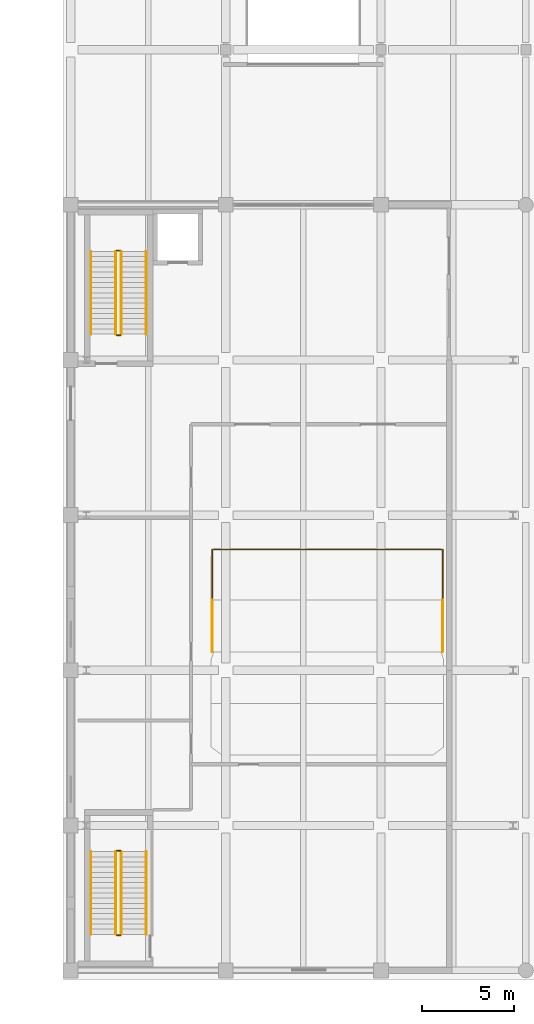
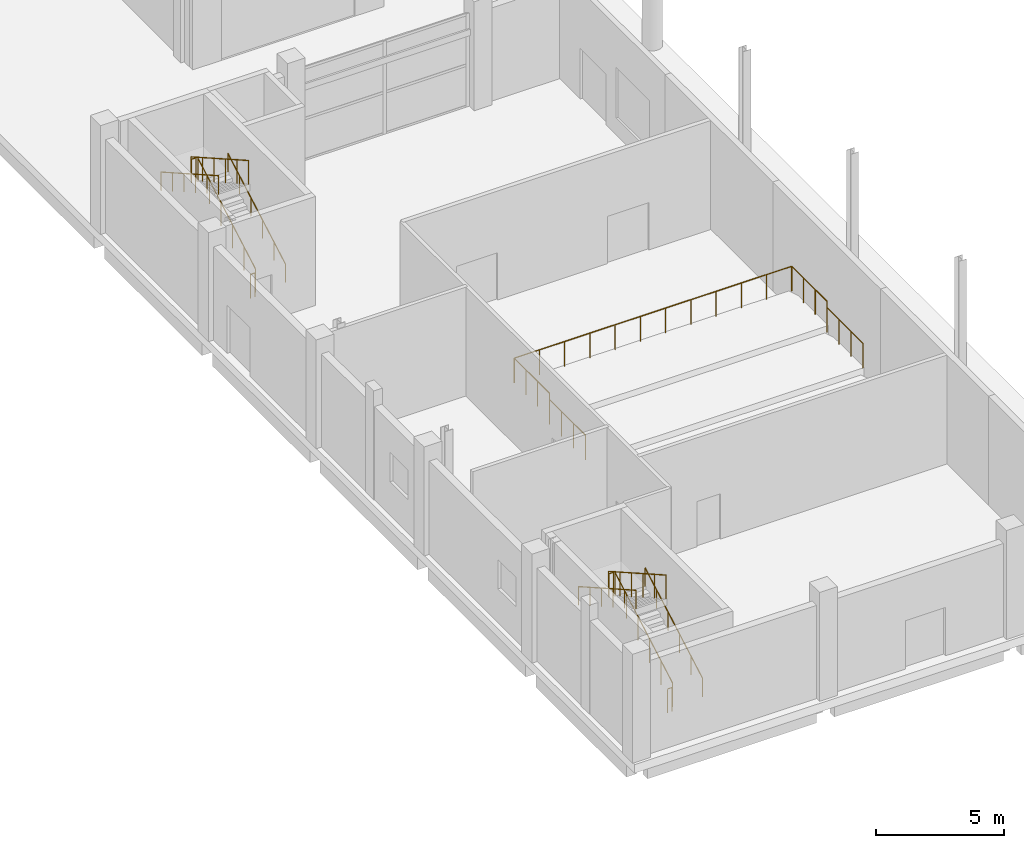
# One storey, part 31 of 34: 15 railings.
"""IFC4 building model written with IfcOpenShell, lengths in metres."""

from ifc_helpers import new_model, si_unit, direction, frame, origin, origin_2d, place, context, subcontext, project, spatial, circle, extrude, material, type_object, element, save


model = new_model("IFC4")

# Units and contexts
model_context = context("Model", 3, precision=1e-05, world=origin(), true_north=direction((0.0, 1.0)))
body_context = subcontext(model_context, "Body", "Model", "MODEL_VIEW")
ifc_project = project(units=[si_unit("LENGTHUNIT", "METRE"), si_unit("AREAUNIT", "SQUARE_METRE"), si_unit("VOLUMEUNIT", "CUBIC_METRE"), si_unit("PLANEANGLEUNIT", "RADIAN"), si_unit("MASSUNIT", "GRAM", prefix="KILO")], contexts=[model_context])

# Site, building, storey
site_placement = place(None, origin())
site = spatial("IfcSite", under=ifc_project, at=site_placement, CompositionType="ELEMENT")
building_placement = place(site_placement, origin())
building = spatial("IfcBuilding", under=site, at=building_placement, Name="Brinegate Botanical Conservatory", CompositionType="ELEMENT")
storey_placement = place(building_placement, origin())
storey = spatial("IfcBuildingStorey", under=building, at=storey_placement, Name="L01", CompositionType="ELEMENT", Elevation=0.0)

# Railings
ifc_material_1 = material(Name="Structural steel Q355B / S355 and laminated glass balustrade", Category="steel")
railing_type_1 = type_object("IfcRailingType", Name="Rail_INT-BAL", PredefinedType="BALUSTRADE", material=ifc_material_1)
railing_1_placement = place(storey_placement, frame((146.4599609375, 20.60009765625, 1.199951171875)))
element("IfcRailing", 1, at=railing_1_placement, inside=storey, type_object=railing_type_1, Name="Auditorium lower seating tier 4 rear and side balustrade", PredefinedType="BALUSTRADE", context=body_context, shape_type="SweptSolid", body=[
    extrude(circle(Radius=0.02392578125, at=origin_2d()), frame((0.0, 0.0, 1.17578125), z_axis=(0.0, 1.0, 0.0), x_axis=(-1.0, 0.0, 0.0)), (0.0, 0.0, 1.0), 2.739990234375),
    extrude(circle(Radius=0.02392578125, at=origin_2d()), frame((0.0, 2.739990234375, 1.17578125), z_axis=(1.0, 0.0, 0.0), x_axis=(0.0, 1.0, 0.0)), (0.0, 0.0, 1.0), 12.47998046875),
    extrude(circle(Radius=0.02392578125, at=origin_2d()), frame((12.47998046875, 2.739990234375, 1.17578125), z_axis=(0.0, -1.0, 0.0), x_axis=(1.0, 0.0, 0.0)), (0.0, 0.0, 1.0), 2.739990234375),
    extrude(circle(Radius=0.02099609375, at=origin_2d()), origin(), (0.0, 0.0, 1.0), 1.15185546875),
    extrude(circle(Radius=0.02099609375, at=origin_2d()), frame((0.0, 0.913330078125, 0.0)), (0.0, 0.0, 1.0), 1.15185546875),
    extrude(circle(Radius=0.02099609375, at=origin_2d()), frame((0.0, 1.82666015625, 0.0)), (0.0, 0.0, 1.0), 1.15185546875),
    extrude(circle(Radius=0.02099609375, at=origin_2d()), frame((0.0, 2.739990234375, 0.0)), (0.0, 0.0, 1.0), 1.15185546875),
    extrude(circle(Radius=0.02099609375, at=origin_2d()), frame((1.134521484375, 2.739990234375, 0.0)), (0.0, 0.0, 1.0), 1.15185546875),
    extrude(circle(Radius=0.02099609375, at=origin_2d()), frame((2.26904296875, 2.739990234375, 0.0)), (0.0, 0.0, 1.0), 1.15185546875),
    extrude(circle(Radius=0.02099609375, at=origin_2d()), frame((3.403564453125, 2.739990234375, 0.0)), (0.0, 0.0, 1.0), 1.15185546875),
    extrude(circle(Radius=0.02099609375, at=origin_2d()), frame((4.5380859375, 2.739990234375, 0.0)), (0.0, 0.0, 1.0), 1.15185546875),
    extrude(circle(Radius=0.02099609375, at=origin_2d()), frame((5.672607421875, 2.739990234375, 0.0)), (0.0, 0.0, 1.0), 1.15185546875),
    extrude(circle(Radius=0.02099609375, at=origin_2d()), frame((6.807373046875, 2.739990234375, 0.0)), (0.0, 0.0, 1.0), 1.15185546875),
    extrude(circle(Radius=0.02099609375, at=origin_2d()), frame((7.94189453125, 2.739990234375, 0.0)), (0.0, 0.0, 1.0), 1.15185546875),
    extrude(circle(Radius=0.02099609375, at=origin_2d()), frame((9.076416015625, 2.739990234375, 0.0)), (0.0, 0.0, 1.0), 1.15185546875),
    extrude(circle(Radius=0.02099609375, at=origin_2d()), frame((10.2109375, 2.739990234375, 0.0)), (0.0, 0.0, 1.0), 1.15185546875),
    extrude(circle(Radius=0.02099609375, at=origin_2d()), frame((11.345458984375, 2.739990234375, 0.0)), (0.0, 0.0, 1.0), 1.15185546875),
    extrude(circle(Radius=0.02099609375, at=origin_2d()), frame((12.47998046875, 2.739990234375, 0.0)), (0.0, 0.0, 1.0), 1.15185546875),
    extrude(circle(Radius=0.02099609375, at=origin_2d()), frame((12.47998046875, 1.82666015625, 0.0)), (0.0, 0.0, 1.0), 1.15185546875),
    extrude(circle(Radius=0.02099609375, at=origin_2d()), frame((12.47998046875, 0.913330078125, 0.0)), (0.0, 0.0, 1.0), 1.15185546875),
    extrude(circle(Radius=0.02099609375, at=origin_2d()), frame((12.47998046875, 0.0, 0.0)), (0.0, 0.0, 1.0), 1.15185546875),
])
ifc_material_2 = material(Name="Structural steel Q355B / S355 painted tubular guardrail", Category="steel")
railing_type_2 = type_object("IfcRailingType", Name="Rail_ST-GRD", PredefinedType="GUARDRAIL", material=ifc_material_2)
railing_2_placement = place(storey_placement, frame((141.550048828125, 35.0, 0.158935546875)))
element("IfcRailing", 2, at=railing_2_placement, inside=storey, type_object=railing_type_2, Name="L01 ST5 stair guard 1", PredefinedType="GUARDRAIL", context=body_context, shape_type="SweptSolid", body=[
    extrude(circle(Radius=0.02392578125, at=origin_2d()), frame((0.0, 0.0, 1.1259765625), z_axis=(0.0, 0.869825572089, 0.493359376256), x_axis=(-1.0, 0.0, 0.0)), (0.0, 0.0, 1.0), 5.150390625),
    extrude(circle(Radius=0.02099609375, at=origin_2d()), origin(), (0.0, 0.0, 1.0), 1.101806640625),
    extrude(circle(Radius=0.02099609375, at=origin_2d()), frame((0.0, 0.89599609375, 0.50830078125)), (0.0, 0.0, 1.0), 1.101806640625),
    extrude(circle(Radius=0.02099609375, at=origin_2d()), frame((0.0, 1.7919921875, 1.016357421875)), (0.0, 0.0, 1.0), 1.101806640625),
    extrude(circle(Radius=0.02099609375, at=origin_2d()), frame((0.0, 2.68798828125, 1.524658203125)), (0.0, 0.0, 1.0), 1.101806640625),
    extrude(circle(Radius=0.02099609375, at=origin_2d()), frame((0.0, 3.583984375, 2.03271484375)), (0.0, 0.0, 1.0), 1.101806640625),
    extrude(circle(Radius=0.02099609375, at=origin_2d()), frame((0.0, 4.47998046875, 2.541015625)), (0.0, 0.0, 1.0), 1.101806640625),
])
railing_3_placement = place(storey_placement, frame((141.5, 39.530029296875, 2.699951171875)))
element("IfcRailing", 3, at=railing_3_placement, inside=storey, type_object=railing_type_2, Name="L01 ST5 stair guard 2", PredefinedType="GUARDRAIL", context=body_context, shape_type="SweptSolid", body=[
    extrude(circle(Radius=0.02392578125, at=origin_2d()), frame((0.0, 0.0, 1.1259765625), z_axis=(-1.0, 0.0, 0.0), x_axis=(0.0, -1.0, 0.0)), (0.0, 0.0, 1.0), 0.199951171875),
    extrude(circle(Radius=0.02099609375, at=origin_2d()), origin(), (0.0, 0.0, 1.0), 1.101806640625),
    extrude(circle(Radius=0.02099609375, at=origin_2d()), frame((-0.199951171875, 0.0, 0.0)), (0.0, 0.0, 1.0), 1.101806640625),
])
railing_4_placement = place(storey_placement, frame((141.25, 39.47998046875, 2.85888671875)))
element("IfcRailing", 4, at=railing_4_placement, inside=storey, type_object=railing_type_2, Name="L01 ST5 stair guard 3", PredefinedType="GUARDRAIL", context=body_context, shape_type="SweptSolid", body=[
    extrude(circle(Radius=0.02392578125, at=origin_2d()), frame((0.0, 0.0, 1.1259765625), z_axis=(0.0, -0.869825572089, 0.493359376256), x_axis=(1.0, 0.0, 0.0)), (0.0, 0.0, 1.0), 5.150390625),
    extrude(circle(Radius=0.02099609375, at=origin_2d()), origin(), (0.0, 0.0, 1.0), 1.101806640625),
    extrude(circle(Radius=0.02099609375, at=origin_2d()), frame((0.0, -0.89599609375, 0.50830078125)), (0.0, 0.0, 1.0), 1.101806640625),
    extrude(circle(Radius=0.02099609375, at=origin_2d()), frame((0.0, -1.7919921875, 1.016357421875)), (0.0, 0.0, 1.0), 1.101806640625),
    extrude(circle(Radius=0.02099609375, at=origin_2d()), frame((0.0, -2.68798828125, 1.524658203125)), (0.0, 0.0, 1.0), 1.101806640625),
    extrude(circle(Radius=0.02099609375, at=origin_2d()), frame((0.0, -3.583984375, 2.03271484375)), (0.0, 0.0, 1.0), 1.101806640625),
    extrude(circle(Radius=0.02099609375, at=origin_2d()), frame((0.0, -4.47998046875, 2.541015625)), (0.0, 0.0, 1.0), 1.101806640625),
])
railing_5_placement = place(storey_placement, frame((141.5, 34.949951171875, 0.0)))
element("IfcRailing", 5, at=railing_5_placement, inside=storey, type_object=railing_type_2, Name="L01 ST5 stair guard 4", PredefinedType="GUARDRAIL", context=body_context, shape_type="SweptSolid", body=[
    extrude(circle(Radius=0.02392578125, at=origin_2d()), frame((0.0, 0.0, 1.1259765625), z_axis=(-1.0, 0.0, 0.0), x_axis=(0.0, -1.0, 0.0)), (0.0, 0.0, 1.0), 0.199951171875),
    extrude(circle(Radius=0.02099609375, at=origin_2d()), origin(), (0.0, 0.0, 1.0), 1.101806640625),
    extrude(circle(Radius=0.02099609375, at=origin_2d()), frame((-0.199951171875, 0.0, 0.0)), (0.0, 0.0, 1.0), 1.101806640625),
])
railing_6_placement = place(storey_placement, frame((141.550048828125, 2.5, 0.158935546875)))
element("IfcRailing", 6, at=railing_6_placement, inside=storey, type_object=railing_type_2, Name="L01 ST6 stair guard 1", PredefinedType="GUARDRAIL", context=body_context, shape_type="SweptSolid", body=[
    extrude(circle(Radius=0.02392578125, at=origin_2d()), frame((0.0, 0.0, 1.1259765625), z_axis=(0.0, 0.869825572089, 0.493359376256), x_axis=(-1.0, 0.0, 0.0)), (0.0, 0.0, 1.0), 5.150390625),
    extrude(circle(Radius=0.02099609375, at=origin_2d()), origin(), (0.0, 0.0, 1.0), 1.101806640625),
    extrude(circle(Radius=0.02099609375, at=origin_2d()), frame((0.0, 0.89599609375, 0.50830078125)), (0.0, 0.0, 1.0), 1.101806640625),
    extrude(circle(Radius=0.02099609375, at=origin_2d()), frame((0.0, 1.7919921875, 1.016357421875)), (0.0, 0.0, 1.0), 1.101806640625),
    extrude(circle(Radius=0.02099609375, at=origin_2d()), frame((0.0, 2.68798828125, 1.524658203125)), (0.0, 0.0, 1.0), 1.101806640625),
    extrude(circle(Radius=0.02099609375, at=origin_2d()), frame((0.0, 3.583984375, 2.03271484375)), (0.0, 0.0, 1.0), 1.101806640625),
    extrude(circle(Radius=0.02099609375, at=origin_2d()), frame((0.0, 4.47998046875, 2.541015625)), (0.0, 0.0, 1.0), 1.101806640625),
])
railing_7_placement = place(storey_placement, frame((141.5, 7.030029296875, 2.699951171875)))
element("IfcRailing", 7, at=railing_7_placement, inside=storey, type_object=railing_type_2, Name="L01 ST6 stair guard 2", PredefinedType="GUARDRAIL", context=body_context, shape_type="SweptSolid", body=[
    extrude(circle(Radius=0.02392578125, at=origin_2d()), frame((0.0, 0.0, 1.1259765625), z_axis=(-1.0, 0.0, 0.0), x_axis=(0.0, -1.0, 0.0)), (0.0, 0.0, 1.0), 0.199951171875),
    extrude(circle(Radius=0.02099609375, at=origin_2d()), origin(), (0.0, 0.0, 1.0), 1.101806640625),
    extrude(circle(Radius=0.02099609375, at=origin_2d()), frame((-0.199951171875, 0.0, 0.0)), (0.0, 0.0, 1.0), 1.101806640625),
])
railing_8_placement = place(storey_placement, frame((141.25, 6.97998046875, 2.85888671875)))
element("IfcRailing", 8, at=railing_8_placement, inside=storey, type_object=railing_type_2, Name="L01 ST6 stair guard 3", PredefinedType="GUARDRAIL", context=body_context, shape_type="SweptSolid", body=[
    extrude(circle(Radius=0.02392578125, at=origin_2d()), frame((0.0, 0.0, 1.1259765625), z_axis=(0.0, -0.869825572089, 0.493359376256), x_axis=(1.0, 0.0, 0.0)), (0.0, 0.0, 1.0), 5.150390625),
    extrude(circle(Radius=0.02099609375, at=origin_2d()), origin(), (0.0, 0.0, 1.0), 1.101806640625),
    extrude(circle(Radius=0.02099609375, at=origin_2d()), frame((0.0, -0.89599609375, 0.50830078125)), (0.0, 0.0, 1.0), 1.101806640625),
    extrude(circle(Radius=0.02099609375, at=origin_2d()), frame((0.0, -1.7919921875, 1.016357421875)), (0.0, 0.0, 1.0), 1.101806640625),
    extrude(circle(Radius=0.02099609375, at=origin_2d()), frame((0.0, -2.68798828125, 1.524658203125)), (0.0, 0.0, 1.0), 1.101806640625),
    extrude(circle(Radius=0.02099609375, at=origin_2d()), frame((0.0, -3.583984375, 2.03271484375)), (0.0, 0.0, 1.0), 1.101806640625),
    extrude(circle(Radius=0.02099609375, at=origin_2d()), frame((0.0, -4.47998046875, 2.541015625)), (0.0, 0.0, 1.0), 1.101806640625),
])
railing_9_placement = place(storey_placement, frame((141.5, 2.449951171875, 0.0)))
element("IfcRailing", 9, at=railing_9_placement, inside=storey, type_object=railing_type_2, Name="L01 ST6 stair guard 4", PredefinedType="GUARDRAIL", context=body_context, shape_type="SweptSolid", body=[
    extrude(circle(Radius=0.02392578125, at=origin_2d()), frame((0.0, 0.0, 1.1259765625), z_axis=(-1.0, 0.0, 0.0), x_axis=(0.0, -1.0, 0.0)), (0.0, 0.0, 1.0), 0.199951171875),
    extrude(circle(Radius=0.02099609375, at=origin_2d()), origin(), (0.0, 0.0, 1.0), 1.101806640625),
    extrude(circle(Radius=0.02099609375, at=origin_2d()), frame((-0.199951171875, 0.0, 0.0)), (0.0, 0.0, 1.0), 1.101806640625),
])
for number, where, name in (
    (10, (146.4599609375, 17.800048828125, 0.89990234375), "Auditorium lower seating tier 3 west guardrail"),
    (11, (158.93994140625, 17.800048828125, 0.89990234375), "Auditorium lower seating tier 3 east guardrail"),
):
    element("IfcRailing", number, at=place(storey_placement, frame(where)), inside=storey, type_object=railing_type_2, Name=name, PredefinedType="GUARDRAIL", context=body_context, shape_type="SweptSolid", body=[
        extrude(circle(Radius=0.02392578125, at=origin_2d()), frame((0.0, 0.0, 1.17578125), z_axis=(0.0, 1.0, 0.0), x_axis=(-1.0, 0.0, 0.0)), (0.0, 0.0, 1.0), 2.800048828125),
        extrude(circle(Radius=0.02099609375, at=origin_2d()), origin(), (0.0, 0.0, 1.0), 1.15185546875),
        extrude(circle(Radius=0.02099609375, at=origin_2d()), frame((0.0, 0.933349609375, 0.0)), (0.0, 0.0, 1.0), 1.15185546875),
        extrude(circle(Radius=0.02099609375, at=origin_2d()), frame((0.0, 1.86669921875, 0.0)), (0.0, 0.0, 1.0), 1.15185546875),
        extrude(circle(Radius=0.02099609375, at=origin_2d()), frame((0.0, 2.800048828125, 0.0)), (0.0, 0.0, 1.0), 1.15185546875),
    ])
ifc_material_3 = material(Name="Brushed stainless steel S355 handrail", Category="steel")
railing_type_3 = type_object("IfcRailingType", Name="Rail_ST-HND", PredefinedType="HANDRAIL", material=ifc_material_3)
railing_10_placement = place(storey_placement, frame((142.89990234375, 35.0, 0.158935546875)))
element("IfcRailing", 12, at=railing_10_placement, inside=storey, type_object=railing_type_3, Name="L01 ST5 stair handrail 1", PredefinedType="HANDRAIL", context=body_context, shape_type="SweptSolid", body=[
    extrude(circle(Radius=0.02392578125, at=origin_2d()), frame((0.0, 0.0, 0.8759765625), z_axis=(0.0, 0.869825572089, 0.493359376256), x_axis=(-1.0, 0.0, 0.0)), (0.0, 0.0, 1.0), 5.150390625),
    extrude(circle(Radius=0.02099609375, at=origin_2d()), origin(), (0.0, 0.0, 1.0), 0.851806640625),
    extrude(circle(Radius=0.02099609375, at=origin_2d()), frame((0.0, 0.89599609375, 0.50830078125)), (0.0, 0.0, 1.0), 0.851806640625),
    extrude(circle(Radius=0.02099609375, at=origin_2d()), frame((0.0, 1.7919921875, 1.016357421875)), (0.0, 0.0, 1.0), 0.851806640625),
    extrude(circle(Radius=0.02099609375, at=origin_2d()), frame((0.0, 2.68798828125, 1.524658203125)), (0.0, 0.0, 1.0), 0.851806640625),
    extrude(circle(Radius=0.02099609375, at=origin_2d()), frame((0.0, 3.583984375, 2.03271484375)), (0.0, 0.0, 1.0), 0.851806640625),
    extrude(circle(Radius=0.02099609375, at=origin_2d()), frame((0.0, 4.47998046875, 2.541015625)), (0.0, 0.0, 1.0), 0.851806640625),
])
railing_11_placement = place(storey_placement, frame((139.89990234375, 39.47998046875, 2.85888671875)))
element("IfcRailing", 13, at=railing_11_placement, inside=storey, type_object=railing_type_3, Name="L01 ST5 stair handrail 2", PredefinedType="HANDRAIL", context=body_context, shape_type="SweptSolid", body=[
    extrude(circle(Radius=0.02392578125, at=origin_2d()), frame((0.0, 0.0, 0.8759765625), z_axis=(0.0, -0.869825572089, 0.493359376256), x_axis=(1.0, 0.0, 0.0)), (0.0, 0.0, 1.0), 5.150390625),
    extrude(circle(Radius=0.02099609375, at=origin_2d()), origin(), (0.0, 0.0, 1.0), 0.851806640625),
    extrude(circle(Radius=0.02099609375, at=origin_2d()), frame((0.0, -0.89599609375, 0.50830078125)), (0.0, 0.0, 1.0), 0.851806640625),
    extrude(circle(Radius=0.02099609375, at=origin_2d()), frame((0.0, -1.7919921875, 1.016357421875)), (0.0, 0.0, 1.0), 0.851806640625),
    extrude(circle(Radius=0.02099609375, at=origin_2d()), frame((0.0, -2.68798828125, 1.524658203125)), (0.0, 0.0, 1.0), 0.851806640625),
    extrude(circle(Radius=0.02099609375, at=origin_2d()), frame((0.0, -3.583984375, 2.03271484375)), (0.0, 0.0, 1.0), 0.851806640625),
    extrude(circle(Radius=0.02099609375, at=origin_2d()), frame((0.0, -4.47998046875, 2.541015625)), (0.0, 0.0, 1.0), 0.851806640625),
])
railing_12_placement = place(storey_placement, frame((142.89990234375, 2.5, 0.158935546875)))
element("IfcRailing", 14, at=railing_12_placement, inside=storey, type_object=railing_type_3, Name="L01 ST6 stair handrail 1", PredefinedType="HANDRAIL", context=body_context, shape_type="SweptSolid", body=[
    extrude(circle(Radius=0.02392578125, at=origin_2d()), frame((0.0, 0.0, 0.8759765625), z_axis=(0.0, 0.869825572089, 0.493359376256), x_axis=(-1.0, 0.0, 0.0)), (0.0, 0.0, 1.0), 5.150390625),
    extrude(circle(Radius=0.02099609375, at=origin_2d()), origin(), (0.0, 0.0, 1.0), 0.851806640625),
    extrude(circle(Radius=0.02099609375, at=origin_2d()), frame((0.0, 0.89599609375, 0.50830078125)), (0.0, 0.0, 1.0), 0.851806640625),
    extrude(circle(Radius=0.02099609375, at=origin_2d()), frame((0.0, 1.7919921875, 1.016357421875)), (0.0, 0.0, 1.0), 0.851806640625),
    extrude(circle(Radius=0.02099609375, at=origin_2d()), frame((0.0, 2.68798828125, 1.524658203125)), (0.0, 0.0, 1.0), 0.851806640625),
    extrude(circle(Radius=0.02099609375, at=origin_2d()), frame((0.0, 3.583984375, 2.03271484375)), (0.0, 0.0, 1.0), 0.851806640625),
    extrude(circle(Radius=0.02099609375, at=origin_2d()), frame((0.0, 4.47998046875, 2.541015625)), (0.0, 0.0, 1.0), 0.851806640625),
])
railing_13_placement = place(storey_placement, frame((139.89990234375, 6.97998046875, 2.85888671875)))
element("IfcRailing", 15, at=railing_13_placement, inside=storey, type_object=railing_type_3, Name="L01 ST6 stair handrail 2", PredefinedType="HANDRAIL", context=body_context, shape_type="SweptSolid", body=[
    extrude(circle(Radius=0.02392578125, at=origin_2d()), frame((0.0, 0.0, 0.8759765625), z_axis=(0.0, -0.869825572089, 0.493359376256), x_axis=(1.0, 0.0, 0.0)), (0.0, 0.0, 1.0), 5.150390625),
    extrude(circle(Radius=0.02099609375, at=origin_2d()), origin(), (0.0, 0.0, 1.0), 0.851806640625),
    extrude(circle(Radius=0.02099609375, at=origin_2d()), frame((0.0, -0.89599609375, 0.50830078125)), (0.0, 0.0, 1.0), 0.851806640625),
    extrude(circle(Radius=0.02099609375, at=origin_2d()), frame((0.0, -1.7919921875, 1.016357421875)), (0.0, 0.0, 1.0), 0.851806640625),
    extrude(circle(Radius=0.02099609375, at=origin_2d()), frame((0.0, -2.68798828125, 1.524658203125)), (0.0, 0.0, 1.0), 0.851806640625),
    extrude(circle(Radius=0.02099609375, at=origin_2d()), frame((0.0, -3.583984375, 2.03271484375)), (0.0, 0.0, 1.0), 0.851806640625),
    extrude(circle(Radius=0.02099609375, at=origin_2d()), frame((0.0, -4.47998046875, 2.541015625)), (0.0, 0.0, 1.0), 0.851806640625),
])

save(model, "model.ifc")
